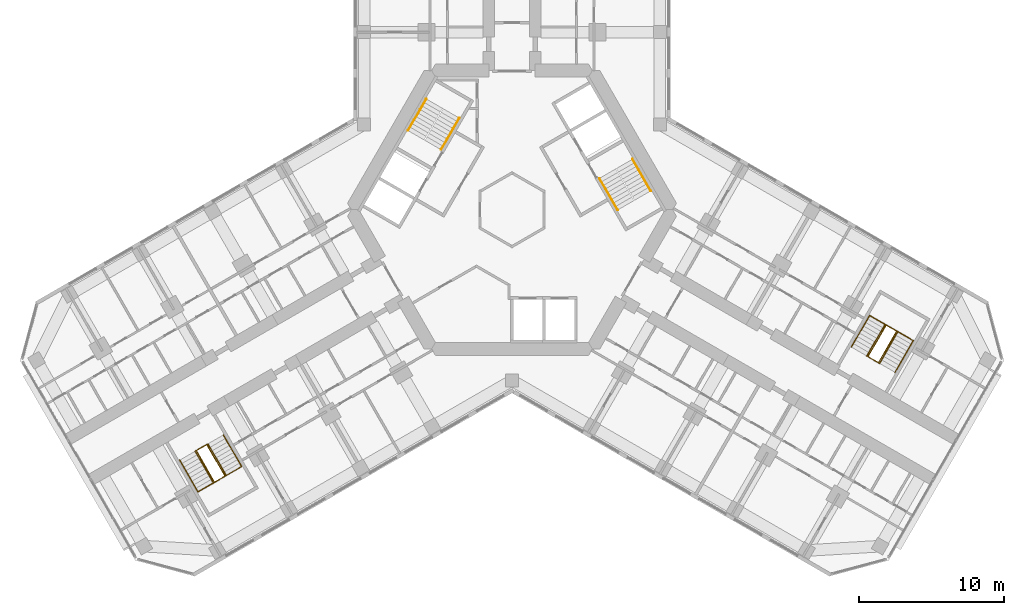
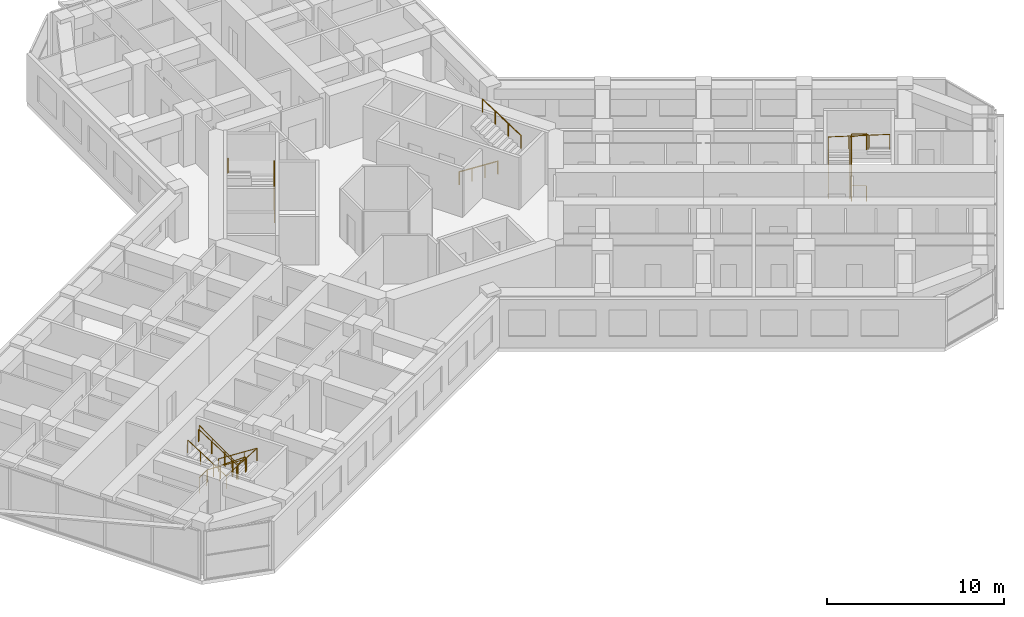
# One storey, part 20 of 20: 10 railings.
"""IFC4 building model written with IfcOpenShell, lengths in metres."""

from ifc_helpers import new_model, si_unit, direction, frame, origin, origin_2d, place, context, subcontext, project, spatial, circle, extrude, material, type_object, element, save


model = new_model("IFC4")

# Units and contexts
model_context = context("Model", 3, precision=1e-05, world=origin(), true_north=direction((0.0, 1.0)))
body_context = subcontext(model_context, "Body", "Model", "MODEL_VIEW")
ifc_project = project(units=[si_unit("LENGTHUNIT", "METRE"), si_unit("AREAUNIT", "SQUARE_METRE"), si_unit("VOLUMEUNIT", "CUBIC_METRE"), si_unit("PLANEANGLEUNIT", "RADIAN"), si_unit("MASSUNIT", "GRAM", prefix="KILO")], contexts=[model_context])

# Site, building, storey
site_placement = place(None, origin())
site = spatial("IfcSite", under=ifc_project, at=site_placement, CompositionType="ELEMENT")
building_placement = place(site_placement, origin())
building = spatial("IfcBuilding", under=site, at=building_placement, Name="Kosmar Iwan School Tower", CompositionType="ELEMENT")
storey_placement = place(building_placement, frame((0.0, 0.0, 131.0)))
storey = spatial("IfcBuildingStorey", under=building, at=storey_placement, Name="L32", CompositionType="ELEMENT", Elevation=131.0)

# Railings
ifc_material_1 = material(Name="Black steel", Category="steel")
railing_type_1 = type_object("IfcRailingType", Name="Stair handrail 900", PredefinedType="HANDRAIL", material=ifc_material_1)
railing_1_placement = place(storey_placement, frame((-4.89453125, 4.142333984375, 0.179931640625)))
element("IfcRailing", 1, at=railing_1_placement, inside=storey, type_object=railing_type_1, Name="Handrail ST2 flight 1", PredefinedType="HANDRAIL", context=body_context, shape_type="SweptSolid", body=[
    extrude(circle(Radius=0.02392578125, at=origin_2d()), frame((0.0, 0.0, 0.8759765625), z_axis=(0.420584145978, 0.728463801763, 0.540785970299), x_axis=(-0.866022637375, 0.500004791531, 0.0)), (0.0, 0.0, 1.0), 2.995849609375),
    extrude(circle(Radius=0.02099609375, at=origin_2d()), origin(), (0.0, 0.0, 1.0), 0.851806640625),
    extrude(circle(Radius=0.02099609375, at=origin_2d()), frame((0.419921875, 0.7275390625, 0.5400390625)), (0.0, 0.0, 1.0), 0.851806640625),
    extrude(circle(Radius=0.02099609375, at=origin_2d()), frame((0.840087890625, 1.454833984375, 1.080078125)), (0.0, 0.0, 1.0), 0.851806640625),
    extrude(circle(Radius=0.02099609375, at=origin_2d()), frame((1.260009765625, 2.182373046875, 1.6201171875)), (0.0, 0.0, 1.0), 0.851806640625),
])
railing_2_placement = place(storey_placement, frame((-5.912353515625, 7.6396484375, 1.97998046875)))
element("IfcRailing", 2, at=railing_2_placement, inside=storey, type_object=railing_type_1, Name="Handrail ST2 flight 2", PredefinedType="HANDRAIL", context=body_context, shape_type="SweptSolid", body=[
    extrude(circle(Radius=0.02392578125, at=origin_2d()), frame((0.0, 0.0, 0.8759765625), z_axis=(-0.420584145978, -0.728463801763, 0.540785970299), x_axis=(0.866022637375, -0.500004791531, 0.0)), (0.0, 0.0, 1.0), 2.995849609375),
    extrude(circle(Radius=0.02099609375, at=origin_2d()), origin(), (0.0, 0.0, 1.0), 0.851806640625),
    extrude(circle(Radius=0.02099609375, at=origin_2d()), frame((-0.419921875, -0.7275390625, 0.5400390625)), (0.0, 0.0, 1.0), 0.851806640625),
    extrude(circle(Radius=0.02099609375, at=origin_2d()), frame((-0.840087890625, -1.454833984375, 1.080078125)), (0.0, 0.0, 1.0), 0.851806640625),
    extrude(circle(Radius=0.02099609375, at=origin_2d()), frame((-1.260009765625, -2.182373046875, 1.6201171875)), (0.0, 0.0, 1.0), 0.851806640625),
])
railing_3_placement = place(storey_placement, frame((6.03466796875, 2.167724609375, 0.179931640625)))
element("IfcRailing", 3, at=railing_3_placement, inside=storey, type_object=railing_type_1, Name="Handrail ST1 flight 1", PredefinedType="HANDRAIL", context=body_context, shape_type="SweptSolid", body=[
    extrude(circle(Radius=0.02392578125, at=origin_2d()), frame((0.0, 0.0, 0.8759765625), z_axis=(0.420584145978, -0.728463801763, 0.540785970299), x_axis=(0.866022637375, 0.500004791531, 0.0)), (0.0, 0.0, 1.0), 2.995849609375),
    extrude(circle(Radius=0.02099609375, at=origin_2d()), origin(), (0.0, 0.0, 1.0), 0.851806640625),
    extrude(circle(Radius=0.02099609375, at=origin_2d()), frame((0.419921875, -0.7275390625, 0.5400390625)), (0.0, 0.0, 1.0), 0.851806640625),
    extrude(circle(Radius=0.02099609375, at=origin_2d()), frame((0.840087890625, -1.454833984375, 1.080078125)), (0.0, 0.0, 1.0), 0.851806640625),
    extrude(circle(Radius=0.02099609375, at=origin_2d()), frame((1.260009765625, -2.182373046875, 1.6201171875)), (0.0, 0.0, 1.0), 0.851806640625),
])
railing_4_placement = place(storey_placement, frame((9.572265625, 1.30029296875, 1.97998046875)))
element("IfcRailing", 4, at=railing_4_placement, inside=storey, type_object=railing_type_1, Name="Handrail ST1 flight 2", PredefinedType="HANDRAIL", context=body_context, shape_type="SweptSolid", body=[
    extrude(circle(Radius=0.02392578125, at=origin_2d()), frame((0.0, 0.0, 0.8759765625), z_axis=(-0.420584145978, 0.728463801763, 0.540785970299), x_axis=(-0.866022637375, -0.500004791531, 0.0)), (0.0, 0.0, 1.0), 2.995849609375),
    extrude(circle(Radius=0.02099609375, at=origin_2d()), origin(), (0.0, 0.0, 1.0), 0.851806640625),
    extrude(circle(Radius=0.02099609375, at=origin_2d()), frame((-0.419921875, 0.7275390625, 0.5400390625)), (0.0, 0.0, 1.0), 0.851806640625),
    extrude(circle(Radius=0.02099609375, at=origin_2d()), frame((-0.840087890625, 1.454833984375, 1.080078125)), (0.0, 0.0, 1.0), 0.851806640625),
    extrude(circle(Radius=0.02099609375, at=origin_2d()), frame((-1.260009765625, 2.182373046875, 1.6201171875)), (0.0, 0.0, 1.0), 0.851806640625),
])
railing_5_placement = place(storey_placement, frame((-19.9091796875, -15.5361328125, 0.179931640625)))
element("IfcRailing", 5, at=railing_5_placement, inside=storey, type_object=railing_type_1, Name="Handrail stair WS2 L32 wall side", PredefinedType="HANDRAIL", context=body_context, shape_type="SweptSolid", body=[
    extrude(circle(Radius=0.02392578125, at=origin_2d()), frame((0.0, 0.0, 0.8759765625), z_axis=(0.420517065106, -0.728488768407, 0.540804504659), x_axis=(0.866064587494, 0.499932125682, 0.0)), (0.0, 0.0, 1.0), 2.995849609375),
    extrude(circle(Radius=0.02392578125, at=origin_2d()), frame((1.259765625, -2.182373046875, 2.49609375), z_axis=(-0.864864352349, -0.499342858003, 0.051636829851), x_axis=(0.500009906705, -0.86601968407, 0.0)), (0.0, 0.0, 1.0), 3.484619140625),
    extrude(circle(Radius=0.02392578125, at=origin_2d()), frame((-1.75390625, -3.92236328125, 2.67578125), z_axis=(-0.420584145978, 0.728463801763, 0.540785970299), x_axis=(-0.866022637375, -0.500004791531, 0.0)), (0.0, 0.0, 1.0), 2.995849609375),
    extrude(circle(Radius=0.02099609375, at=origin_2d()), origin(), (0.0, 0.0, 1.0), 0.851806640625),
    extrude(circle(Radius=0.02099609375, at=origin_2d()), frame((0.419921875, -0.7275390625, 0.5400390625)), (0.0, 0.0, 1.0), 0.851806640625),
    extrude(circle(Radius=0.02099609375, at=origin_2d()), frame((0.83984375, -1.454833984375, 1.080078125)), (0.0, 0.0, 1.0), 0.851806640625),
    extrude(circle(Radius=0.02099609375, at=origin_2d()), frame((1.259765625, -2.182373046875, 1.6201171875)), (0.0, 0.0, 1.0), 0.851806640625),
    extrude(circle(Radius=0.02099609375, at=origin_2d()), frame((0.255126953125, -2.762451171875, 1.68017578125)), (0.0, 0.0, 1.0), 0.851806640625),
    extrude(circle(Radius=0.02099609375, at=origin_2d()), frame((-0.749267578125, -3.34228515625, 1.739990234375)), (0.0, 0.0, 1.0), 0.851806640625),
    extrude(circle(Radius=0.02099609375, at=origin_2d()), frame((-1.75390625, -3.92236328125, 1.800048828125)), (0.0, 0.0, 1.0), 0.851806640625),
    extrude(circle(Radius=0.02099609375, at=origin_2d()), frame((-2.173828125, -3.19482421875, 2.340087890625)), (0.0, 0.0, 1.0), 0.851806640625),
    extrude(circle(Radius=0.02099609375, at=origin_2d()), frame((-2.593994140625, -2.467529296875, 2.880126953125)), (0.0, 0.0, 1.0), 0.851806640625),
    extrude(circle(Radius=0.02099609375, at=origin_2d()), frame((-3.013916015625, -1.739990234375, 3.420166015625)), (0.0, 0.0, 1.0), 0.851806640625),
])
railing_6_placement = place(storey_placement, frame((-20.974609375, -16.151123046875, 0.179931640625)))
element("IfcRailing", 6, at=railing_6_placement, inside=storey, type_object=railing_type_1, Name="Handrail stair WS2 L32 well side", PredefinedType="HANDRAIL", context=body_context, shape_type="SweptSolid", body=[
    extrude(circle(Radius=0.02392578125, at=origin_2d()), frame((0.0, 0.0, 0.8759765625), z_axis=(0.420584145978, -0.728463801763, 0.540785970299), x_axis=(0.866022637375, 0.500004791531, 0.0)), (0.0, 0.0, 1.0), 2.995849609375),
    extrude(circle(Radius=0.02392578125, at=origin_2d()), frame((1.260009765625, -2.182373046875, 2.49609375), z_axis=(-0.852841519511, -0.492422867401, 0.173726976197), x_axis=(0.500026340207, -0.866010195725, 0.0)), (0.0, 0.0, 1.0), 1.03564453125),
    extrude(circle(Radius=0.02392578125, at=origin_2d()), frame((0.376708984375, -2.6923828125, 2.67578125), z_axis=(-0.420584145978, 0.728463801763, 0.540785970299), x_axis=(-0.866022637375, -0.500004791531, 0.0)), (0.0, 0.0, 1.0), 2.995849609375),
    extrude(circle(Radius=0.02099609375, at=origin_2d()), origin(), (0.0, 0.0, 1.0), 0.851806640625),
    extrude(circle(Radius=0.02099609375, at=origin_2d()), frame((0.419921875, -0.7275390625, 0.5400390625)), (0.0, 0.0, 1.0), 0.851806640625),
    extrude(circle(Radius=0.02099609375, at=origin_2d()), frame((0.840087890625, -1.454833984375, 1.080078125)), (0.0, 0.0, 1.0), 0.851806640625),
    extrude(circle(Radius=0.02099609375, at=origin_2d()), frame((1.260009765625, -2.182373046875, 1.6201171875)), (0.0, 0.0, 1.0), 0.851806640625),
    extrude(circle(Radius=0.02099609375, at=origin_2d()), frame((0.376708984375, -2.6923828125, 1.800048828125)), (0.0, 0.0, 1.0), 0.851806640625),
    extrude(circle(Radius=0.02099609375, at=origin_2d()), frame((-0.043212890625, -1.96484375, 2.340087890625)), (0.0, 0.0, 1.0), 0.851806640625),
    extrude(circle(Radius=0.02099609375, at=origin_2d()), frame((-0.46337890625, -1.237548828125, 2.880126953125)), (0.0, 0.0, 1.0), 0.851806640625),
    extrude(circle(Radius=0.02099609375, at=origin_2d()), frame((-0.88330078125, -0.510009765625, 3.420166015625)), (0.0, 0.0, 1.0), 0.851806640625),
])
railing_7_placement = place(storey_placement, frame((23.4091796875, -9.473876953125, 0.179931640625)))
element("IfcRailing", 7, at=railing_7_placement, inside=storey, type_object=railing_type_1, Name="Handrail stair WS3 L32 wall side", PredefinedType="HANDRAIL", context=body_context, shape_type="SweptSolid", body=[
    extrude(circle(Radius=0.02392578125, at=origin_2d()), frame((0.0, 0.0, 0.8759765625), z_axis=(0.420584145978, 0.728463801763, 0.540785970299), x_axis=(-0.866022637375, 0.500004791531, 0.0)), (0.0, 0.0, 1.0), 2.995849609375),
    extrude(circle(Radius=0.02392578125, at=origin_2d()), frame((1.260009765625, 2.182373046875, 2.49609375), z_axis=(0.864882007433, -0.499312601618, 0.051633701051), x_axis=(0.499979528911, 0.866037222451, 0.0)), (0.0, 0.0, 1.0), 3.48486328125),
    extrude(circle(Radius=0.02392578125, at=origin_2d()), frame((4.27392578125, 0.4423828125, 2.67578125), z_axis=(-0.420584145978, -0.728463801763, 0.540785970299), x_axis=(0.866022637375, -0.500004791531, 0.0)), (0.0, 0.0, 1.0), 2.995849609375),
    extrude(circle(Radius=0.02099609375, at=origin_2d()), origin(), (0.0, 0.0, 1.0), 0.851806640625),
    extrude(circle(Radius=0.02099609375, at=origin_2d()), frame((0.419921875, 0.7275390625, 0.5400390625)), (0.0, 0.0, 1.0), 0.851806640625),
    extrude(circle(Radius=0.02099609375, at=origin_2d()), frame((0.840087890625, 1.454833984375, 1.080078125)), (0.0, 0.0, 1.0), 0.851806640625),
    extrude(circle(Radius=0.02099609375, at=origin_2d()), frame((1.260009765625, 2.182373046875, 1.6201171875)), (0.0, 0.0, 1.0), 0.851806640625),
    extrude(circle(Radius=0.02099609375, at=origin_2d()), frame((2.2646484375, 1.602294921875, 1.68017578125)), (0.0, 0.0, 1.0), 0.851806640625),
    extrude(circle(Radius=0.02099609375, at=origin_2d()), frame((3.269287109375, 1.0224609375, 1.739990234375)), (0.0, 0.0, 1.0), 0.851806640625),
    extrude(circle(Radius=0.02099609375, at=origin_2d()), frame((4.27392578125, 0.4423828125, 1.800048828125)), (0.0, 0.0, 1.0), 0.851806640625),
    extrude(circle(Radius=0.02099609375, at=origin_2d()), frame((3.85400390625, -0.28515625, 2.340087890625)), (0.0, 0.0, 1.0), 0.851806640625),
    extrude(circle(Radius=0.02099609375, at=origin_2d()), frame((3.433837890625, -1.012451171875, 2.880126953125)), (0.0, 0.0, 1.0), 0.851806640625),
    extrude(circle(Radius=0.02099609375, at=origin_2d()), frame((3.013916015625, -1.739990234375, 3.420166015625)), (0.0, 0.0, 1.0), 0.851806640625),
])
railing_8_placement = place(storey_placement, frame((24.474609375, -10.0888671875, 0.179931640625)))
element("IfcRailing", 8, at=railing_8_placement, inside=storey, type_object=railing_type_1, Name="Handrail stair WS3 L32 well side", PredefinedType="HANDRAIL", context=body_context, shape_type="SweptSolid", body=[
    extrude(circle(Radius=0.02392578125, at=origin_2d()), frame((0.0, 0.0, 0.8759765625), z_axis=(0.420584145978, 0.728463801763, 0.540785970299), x_axis=(-0.866022637375, 0.500004791531, 0.0)), (0.0, 0.0, 1.0), 2.995849609375),
    extrude(circle(Radius=0.02392578125, at=origin_2d()), frame((1.260009765625, 2.182373046875, 2.49609375), z_axis=(0.852841519511, -0.492422867401, 0.173726976197), x_axis=(0.500026340207, 0.866010195725, 0.0)), (0.0, 0.0, 1.0), 1.03564453125),
    extrude(circle(Radius=0.02392578125, at=origin_2d()), frame((2.143310546875, 1.67236328125, 2.67578125), z_axis=(-0.420584145978, -0.728463801763, 0.540785970299), x_axis=(0.866022637375, -0.500004791531, 0.0)), (0.0, 0.0, 1.0), 2.995849609375),
    extrude(circle(Radius=0.02099609375, at=origin_2d()), origin(), (0.0, 0.0, 1.0), 0.851806640625),
    extrude(circle(Radius=0.02099609375, at=origin_2d()), frame((0.419921875, 0.7275390625, 0.5400390625)), (0.0, 0.0, 1.0), 0.851806640625),
    extrude(circle(Radius=0.02099609375, at=origin_2d()), frame((0.840087890625, 1.454833984375, 1.080078125)), (0.0, 0.0, 1.0), 0.851806640625),
    extrude(circle(Radius=0.02099609375, at=origin_2d()), frame((1.260009765625, 2.182373046875, 1.6201171875)), (0.0, 0.0, 1.0), 0.851806640625),
    extrude(circle(Radius=0.02099609375, at=origin_2d()), frame((2.143310546875, 1.67236328125, 1.800048828125)), (0.0, 0.0, 1.0), 0.851806640625),
    extrude(circle(Radius=0.02099609375, at=origin_2d()), frame((1.723388671875, 0.94482421875, 2.340087890625)), (0.0, 0.0, 1.0), 0.851806640625),
    extrude(circle(Radius=0.02099609375, at=origin_2d()), frame((1.30322265625, 0.217529296875, 2.880126953125)), (0.0, 0.0, 1.0), 0.851806640625),
    extrude(circle(Radius=0.02099609375, at=origin_2d()), frame((0.88330078125, -0.510009765625, 3.420166015625)), (0.0, 0.0, 1.0), 0.851806640625),
])
ifc_material_2 = material(Name="Black steel", Category="steel")
railing_type_2 = type_object("IfcRailingType", Name="Stair well guard 1100", PredefinedType="GUARDRAIL", material=ifc_material_2)
railing_9_placement = place(storey_placement, frame((-21.780029296875, -16.6162109375, 0.0)))
element("IfcRailing", 9, at=railing_9_placement, inside=storey, type_object=railing_type_2, Name="Stair WS2 L32 well guard", PredefinedType="GUARDRAIL", context=body_context, shape_type="SweptSolid", body=[
    extrude(circle(Radius=0.02392578125, at=origin_2d()), frame((0.0, 0.0, 1.076171875), z_axis=(0.865962960534, 0.500108139288, 0.0), x_axis=(-0.500108139288, 0.865962960534, 0.0)), (0.0, 0.0, 1.0), 0.840087890625),
    extrude(circle(Radius=0.02392578125, at=origin_2d()), frame((0.7275390625, 0.420166015625, 1.076171875), z_axis=(0.40686665399, -0.704704712268, 0.58124933925), x_axis=(0.866022637375, 0.500004791531, 0.0)), (0.0, 0.0, 1.0), 3.096923828125),
    extrude(circle(Radius=0.02392578125, at=origin_2d()), frame((1.987548828125, -1.76220703125, 2.8759765625), z_axis=(-0.865962960534, -0.500108139288, 0.0), x_axis=(0.500108139288, -0.865962960534, 0.0)), (0.0, 0.0, 1.0), 0.840087890625),
    extrude(circle(Radius=0.02392578125, at=origin_2d()), frame((1.260009765625, -2.182373046875, 2.8759765625), z_axis=(-0.40686665399, 0.704704712268, 0.58124933925), x_axis=(-0.866022637375, -0.500004791531, 0.0)), (0.0, 0.0, 1.0), 3.096923828125),
    extrude(circle(Radius=0.02099609375, at=origin_2d()), origin(), (0.0, 0.0, 1.0), 1.052001953125),
    extrude(circle(Radius=0.02099609375, at=origin_2d()), frame((0.7275390625, 0.420166015625, 0.0)), (0.0, 0.0, 1.0), 1.052001953125),
    extrude(circle(Radius=0.02099609375, at=origin_2d()), frame((1.1474609375, -0.307373046875, 0.60009765625)), (0.0, 0.0, 1.0), 1.052001953125),
    extrude(circle(Radius=0.02099609375, at=origin_2d()), frame((1.567626953125, -1.03466796875, 1.199951171875)), (0.0, 0.0, 1.0), 1.052001953125),
    extrude(circle(Radius=0.02099609375, at=origin_2d()), frame((1.987548828125, -1.76220703125, 1.800048828125)), (0.0, 0.0, 1.0), 1.052001953125),
    extrude(circle(Radius=0.02099609375, at=origin_2d()), frame((1.260009765625, -2.182373046875, 1.800048828125)), (0.0, 0.0, 1.0), 1.052001953125),
    extrude(circle(Radius=0.02099609375, at=origin_2d()), frame((0.840087890625, -1.454833984375, 2.400146484375)), (0.0, 0.0, 1.0), 1.052001953125),
    extrude(circle(Radius=0.02099609375, at=origin_2d()), frame((0.419921875, -0.7275390625, 3.0)), (0.0, 0.0, 1.0), 1.052001953125),
    extrude(circle(Radius=0.02099609375, at=origin_2d()), frame((0.0, 0.0, 3.60009765625)), (0.0, 0.0, 1.0), 1.052001953125),
])
railing_10_placement = place(storey_placement, frame((25.280029296875, -10.553955078125, 0.0)))
element("IfcRailing", 10, at=railing_10_placement, inside=storey, type_object=railing_type_2, Name="Stair WS3 L32 well guard", PredefinedType="GUARDRAIL", context=body_context, shape_type="SweptSolid", body=[
    extrude(circle(Radius=0.02392578125, at=origin_2d()), frame((0.0, 0.0, 1.076171875), z_axis=(-0.865962960534, 0.500108139288, 0.0), x_axis=(-0.500108139288, -0.865962960534, 0.0)), (0.0, 0.0, 1.0), 0.840087890625),
    extrude(circle(Radius=0.02392578125, at=origin_2d()), frame((-0.7275390625, 0.420166015625, 1.076171875), z_axis=(0.40686665399, 0.704704712268, 0.58124933925), x_axis=(-0.866022637375, 0.500004791531, 0.0)), (0.0, 0.0, 1.0), 3.096923828125),
    extrude(circle(Radius=0.02392578125, at=origin_2d()), frame((0.532470703125, 2.6025390625, 2.8759765625), z_axis=(0.865890253765, -0.500234013672, 0.0), x_axis=(0.500234013672, 0.865890253765, 0.0)), (0.0, 0.0, 1.0), 0.83984375),
    extrude(circle(Radius=0.02392578125, at=origin_2d()), frame((1.259765625, 2.182373046875, 2.8759765625), z_axis=(-0.406800866334, -0.70472731476, 0.58126798207), x_axis=(0.866064587494, -0.499932125682, 0.0)), (0.0, 0.0, 1.0), 3.0966796875),
    extrude(circle(Radius=0.02099609375, at=origin_2d()), origin(), (0.0, 0.0, 1.0), 1.052001953125),
    extrude(circle(Radius=0.02099609375, at=origin_2d()), frame((-0.7275390625, 0.420166015625, 0.0)), (0.0, 0.0, 1.0), 1.052001953125),
    extrude(circle(Radius=0.02099609375, at=origin_2d()), frame((-0.3076171875, 1.147705078125, 0.60009765625)), (0.0, 0.0, 1.0), 1.052001953125),
    extrude(circle(Radius=0.02099609375, at=origin_2d()), frame((0.112548828125, 1.875, 1.199951171875)), (0.0, 0.0, 1.0), 1.052001953125),
    extrude(circle(Radius=0.02099609375, at=origin_2d()), frame((0.532470703125, 2.6025390625, 1.800048828125)), (0.0, 0.0, 1.0), 1.052001953125),
    extrude(circle(Radius=0.02099609375, at=origin_2d()), frame((1.259765625, 2.182373046875, 1.800048828125)), (0.0, 0.0, 1.0), 1.052001953125),
    extrude(circle(Radius=0.02099609375, at=origin_2d()), frame((0.83984375, 1.454833984375, 2.400146484375)), (0.0, 0.0, 1.0), 1.052001953125),
    extrude(circle(Radius=0.02099609375, at=origin_2d()), frame((0.419921875, 0.7275390625, 3.0)), (0.0, 0.0, 1.0), 1.052001953125),
    extrude(circle(Radius=0.02099609375, at=origin_2d()), frame((0.0, 0.0, 3.60009765625)), (0.0, 0.0, 1.0), 1.052001953125),
])

save(model, "model.ifc")
